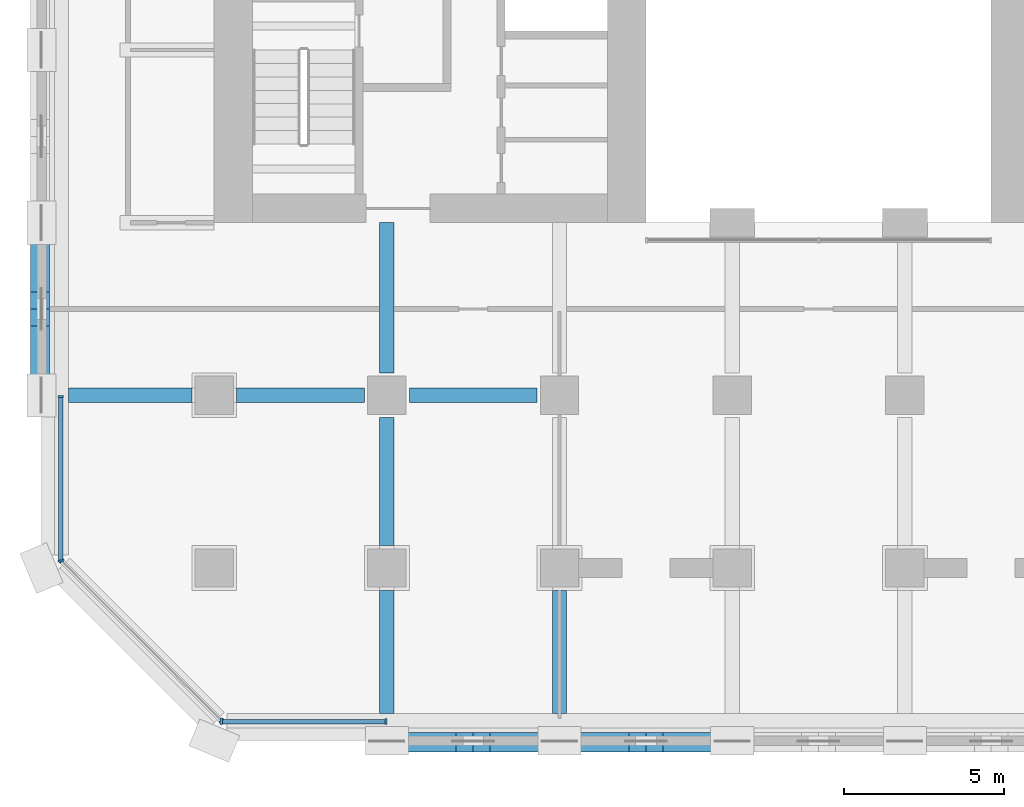
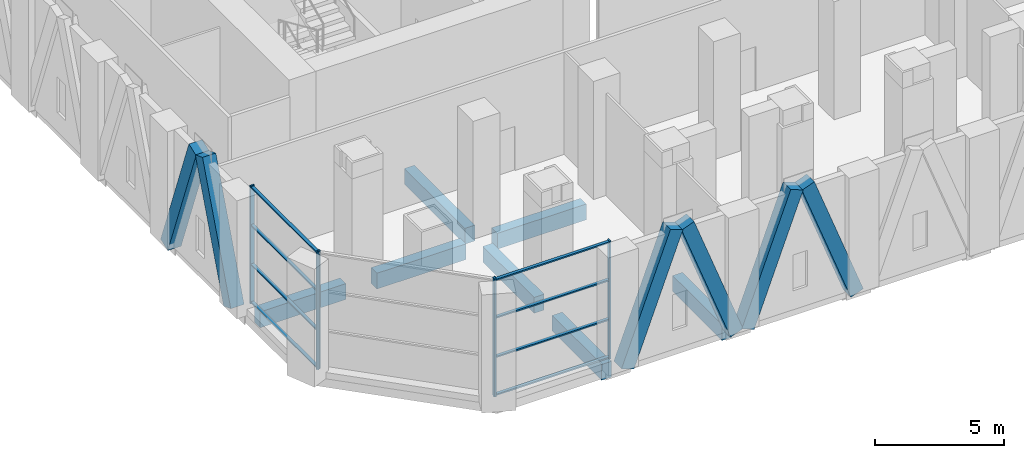
# One storey, part 2 of 34: 20 members, 7 beams, 3 elements without a shape of their own.
"""IFC4 building model written with IfcOpenShell, lengths in metres."""

from ifc_helpers import new_model, si_unit, direction, frame, origin, origin_2d, place, context, subcontext, project, spatial, rectangle, extrude, material, material_profile, profile_set, type_object, element, aggregate, save


model = new_model("IFC4")

# Units and contexts
model_context = context("Model", 3, precision=1e-05, world=origin(), true_north=direction((0.0, 1.0)))
body_context = subcontext(model_context, "Body", "Model", "MODEL_VIEW")
ifc_project = project(units=[si_unit("LENGTHUNIT", "METRE"), si_unit("AREAUNIT", "SQUARE_METRE"), si_unit("VOLUMEUNIT", "CUBIC_METRE"), si_unit("PLANEANGLEUNIT", "RADIAN"), si_unit("MASSUNIT", "GRAM", prefix="KILO")], contexts=[model_context])

# Site, building, storey
site_placement = place(None, origin())
site = spatial("IfcSite", under=ifc_project, at=site_placement, CompositionType="ELEMENT")
building_placement = place(site_placement, origin())
building = spatial("IfcBuilding", under=site, at=building_placement, Name="Tabaq Tower and Sports Hall", CompositionType="ELEMENT")
storey_placement = place(building_placement, frame((0.0, 0.0, 8.39990234375)))
storey = spatial("IfcBuildingStorey", under=building, at=storey_placement, Name="L01", CompositionType="ELEMENT", Elevation=8.39990234375)

# Curtain wall, members
ifc_material_1 = material(Name="Aluminium alloy 6063-T6 framed glazing", Category="aluminium")
curtain_wall_type = type_object("IfcCurtainWallType", Name="CW7 curtain wall", PredefinedType="USERDEFINED", material=ifc_material_1)
curtain_wall_1_placement = place(storey_placement, origin())
curtain_wall_1 = element("IfcCurtainWall", 1, at=curtain_wall_1_placement, inside=storey, type_object=curtain_wall_type, Name="Podium Wall L01 S", ObjectType="PODIUM WALL", PredefinedType="USERDEFINED")
ifc_material_2 = material(Name="Aluminium alloy 6063-T6", Category="aluminium")
ifc_material_profile_1 = material_profile(ifc_material_2, rectangle(XDim=0.179931640625, YDim=0.06494140625, at=origin_2d()), Name="MULLION 180x65")
ifc_profile_set_1 = profile_set([ifc_material_profile_1], Name="Aluminium alloy 6063-T6")
member_type_1 = type_object("IfcMemberType", Name="CW7 mullion 180x65", PredefinedType="MULLION", material=ifc_profile_set_1)
member_1_placement = place(storey_placement, frame((5.618896484375, 0.60009765625, 0.0), z_axis=(0.0, 0.0, 1.0), x_axis=(0.0, 1.0, 0.0)))
member_1 = element("IfcMember", 2, at=member_1_placement, type_object=member_type_1, Name="CW7 mullion 1", PredefinedType="MULLION", context=body_context, shape_type="SweptSolid", body=[
    extrude(rectangle(XDim=0.179931640625, YDim=0.06494140625, at=origin_2d()), origin(), (0.0, 0.0, 1.0), 5.60009765625),
])
member_2_placement = place(storey_placement, frame((10.767578125, 0.60009765625, 0.0), z_axis=(0.0, 0.0, 1.0), x_axis=(0.0, 1.0, 0.0)))
member_2 = element("IfcMember", 3, at=member_2_placement, type_object=member_type_1, Name="CW7 mullion 2", PredefinedType="MULLION", context=body_context, shape_type="SweptSolid", body=[
    extrude(rectangle(XDim=0.179931640625, YDim=0.06494140625, at=origin_2d()), origin(), (0.0, 0.0, 1.0), 5.60009765625),
])

curtain_wall_2_placement = place(storey_placement, origin())
curtain_wall_2 = element("IfcCurtainWall", 4, at=curtain_wall_2_placement, inside=storey, type_object=curtain_wall_type, Name="Podium Wall L01 W", ObjectType="PODIUM WALL", PredefinedType="USERDEFINED")
member_3_placement = place(storey_placement, frame((0.60009765625, 10.767578125, 0.0), z_axis=(0.0, 0.0, 1.0), x_axis=(1.0, 0.0, 0.0)))
member_3 = element("IfcMember", 5, at=member_3_placement, type_object=member_type_1, Name="CW7 mullion 1", PredefinedType="MULLION", context=body_context, shape_type="SweptSolid", body=[
    extrude(rectangle(XDim=0.179931640625, YDim=0.06494140625, at=origin_2d()), origin(), (0.0, 0.0, 1.0), 5.60009765625),
])
member_4_placement = place(storey_placement, frame((0.60009765625, 5.618896484375, 0.0), z_axis=(0.0, 0.0, 1.0), x_axis=(1.0, 0.0, 0.0)))
member_4 = element("IfcMember", 6, at=member_4_placement, type_object=member_type_1, Name="CW7 mullion 2", PredefinedType="MULLION", context=body_context, shape_type="SweptSolid", body=[
    extrude(rectangle(XDim=0.179931640625, YDim=0.06494140625, at=origin_2d()), origin(), (0.0, 0.0, 1.0), 5.60009765625),
])

curtain_wall_3_placement = place(storey_placement, origin())
curtain_wall_3 = element("IfcCurtainWall", 7, at=curtain_wall_3_placement, inside=storey, type_object=curtain_wall_type, Name="Podium Wall L01 SW", ObjectType="PODIUM WALL", PredefinedType="USERDEFINED")
member_5_placement = place(storey_placement, frame((0.623046875, 5.62548828125, 0.0), z_axis=(0.0, 0.0, 1.0), x_axis=(0.707106781187, 0.707106781187, 0.0)))
member_5 = element("IfcMember", 8, at=member_5_placement, type_object=member_type_1, Name="CW7 mullion 1", PredefinedType="MULLION", context=body_context, shape_type="SweptSolid", body=[
    extrude(rectangle(XDim=0.179931640625, YDim=0.06494140625, at=origin_2d()), origin(), (0.0, 0.0, 1.0), 5.60009765625),
])
member_6_placement = place(storey_placement, frame((5.62548828125, 0.623046875, 0.0), z_axis=(0.0, 0.0, 1.0), x_axis=(0.707106781187, 0.707106781187, 0.0)))
member_6 = element("IfcMember", 9, at=member_6_placement, type_object=member_type_1, Name="CW7 mullion 2", PredefinedType="MULLION", context=body_context, shape_type="SweptSolid", body=[
    extrude(rectangle(XDim=0.179931640625, YDim=0.06494140625, at=origin_2d()), origin(), (0.0, 0.0, 1.0), 5.60009765625),
])
aggregate(curtain_wall_3, [member_5, member_6])

# Member
ifc_material_3 = material(Name="Aluminium alloy 6063-T6", Category="aluminium")
ifc_material_profile_2 = material_profile(ifc_material_3, rectangle(XDim=0.139892578125, YDim=0.06494140625, at=origin_2d()), Name="TRANSOM 140x65")
ifc_profile_set_2 = profile_set([ifc_material_profile_2], Name="Aluminium alloy 6063-T6")
member_type_2 = type_object("IfcMemberType", Name="CW7 transom 140x65", PredefinedType="USERDEFINED", material=ifc_profile_set_2)
member_7_placement = place(storey_placement, frame((5.6513671875, 0.60009765625, 0.070068359375), z_axis=(1.0, 0.0, 0.0), x_axis=(0.0, 1.0, 0.0)))
member_7 = element("IfcMember", 10, at=member_7_placement, type_object=member_type_2, Name="CW7 transom 1.1", ObjectType="TRANSOM", PredefinedType="USERDEFINED", context=body_context, shape_type="SweptSolid", body=[
    extrude(rectangle(XDim=0.139892578125, YDim=0.06494140625, at=origin_2d()), origin(), (0.0, 0.0, 1.0), 5.083740234375),
])

member_8_placement = place(storey_placement, frame((5.6513671875, 0.60009765625, 1.86669921875), z_axis=(1.0, 0.0, 0.0), x_axis=(0.0, 1.0, 0.0)))
member_8 = element("IfcMember", 11, at=member_8_placement, type_object=member_type_2, Name="CW7 transom 1.2", ObjectType="TRANSOM", PredefinedType="USERDEFINED", context=body_context, shape_type="SweptSolid", body=[
    extrude(rectangle(XDim=0.139892578125, YDim=0.06494140625, at=origin_2d()), origin(), (0.0, 0.0, 1.0), 5.083740234375),
])

member_9_placement = place(storey_placement, frame((5.6513671875, 0.60009765625, 3.7333984375), z_axis=(1.0, 0.0, 0.0), x_axis=(0.0, 1.0, 0.0)))
member_9 = element("IfcMember", 12, at=member_9_placement, type_object=member_type_2, Name="CW7 transom 1.3", ObjectType="TRANSOM", PredefinedType="USERDEFINED", context=body_context, shape_type="SweptSolid", body=[
    extrude(rectangle(XDim=0.139892578125, YDim=0.06494140625, at=origin_2d()), origin(), (0.0, 0.0, 1.0), 5.083740234375),
])

member_10_placement = place(storey_placement, frame((5.6513671875, 0.60009765625, 5.530029296875), z_axis=(1.0, 0.0, 0.0), x_axis=(0.0, 1.0, 0.0)))
member_10 = element("IfcMember", 13, at=member_10_placement, type_object=member_type_2, Name="CW7 transom 1.4", ObjectType="TRANSOM", PredefinedType="USERDEFINED", context=body_context, shape_type="SweptSolid", body=[
    extrude(rectangle(XDim=0.139892578125, YDim=0.06494140625, at=origin_2d()), origin(), (0.0, 0.0, 1.0), 5.083740234375),
])

aggregate(curtain_wall_1, [member_1, member_2, member_7, member_8, member_9, member_10])

member_11_placement = place(storey_placement, frame((0.60009765625, 10.735107421875, 0.070068359375), z_axis=(0.0, -1.0, 0.0), x_axis=(1.0, 0.0, 0.0)))
member_11 = element("IfcMember", 14, at=member_11_placement, type_object=member_type_2, Name="CW7 transom 1.1", ObjectType="TRANSOM", PredefinedType="USERDEFINED", context=body_context, shape_type="SweptSolid", body=[
    extrude(rectangle(XDim=0.139892578125, YDim=0.06494140625, at=origin_2d()), origin(), (0.0, 0.0, 1.0), 5.083740234375),
])

member_12_placement = place(storey_placement, frame((0.60009765625, 10.735107421875, 1.86669921875), z_axis=(0.0, -1.0, 0.0), x_axis=(1.0, 0.0, 0.0)))
member_12 = element("IfcMember", 15, at=member_12_placement, type_object=member_type_2, Name="CW7 transom 1.2", ObjectType="TRANSOM", PredefinedType="USERDEFINED", context=body_context, shape_type="SweptSolid", body=[
    extrude(rectangle(XDim=0.139892578125, YDim=0.06494140625, at=origin_2d()), origin(), (0.0, 0.0, 1.0), 5.083740234375),
])

member_13_placement = place(storey_placement, frame((0.60009765625, 10.735107421875, 3.7333984375), z_axis=(0.0, -1.0, 0.0), x_axis=(1.0, 0.0, 0.0)))
member_13 = element("IfcMember", 16, at=member_13_placement, type_object=member_type_2, Name="CW7 transom 1.3", ObjectType="TRANSOM", PredefinedType="USERDEFINED", context=body_context, shape_type="SweptSolid", body=[
    extrude(rectangle(XDim=0.139892578125, YDim=0.06494140625, at=origin_2d()), origin(), (0.0, 0.0, 1.0), 5.083740234375),
])

member_14_placement = place(storey_placement, frame((0.60009765625, 10.735107421875, 5.530029296875), z_axis=(0.0, -1.0, 0.0), x_axis=(1.0, 0.0, 0.0)))
member_14 = element("IfcMember", 17, at=member_14_placement, type_object=member_type_2, Name="CW7 transom 1.4", ObjectType="TRANSOM", PredefinedType="USERDEFINED", context=body_context, shape_type="SweptSolid", body=[
    extrude(rectangle(XDim=0.139892578125, YDim=0.06494140625, at=origin_2d()), origin(), (0.0, 0.0, 1.0), 5.083740234375),
])

aggregate(curtain_wall_2, [member_3, member_4, member_11, member_12, member_13, member_14])

# Beams
ifc_material_4 = material(Name="Concrete C40/50", Category="concrete")
ifc_material_profile_3 = material_profile(ifc_material_4, rectangle(XDim=0.449951171875, YDim=0.75, at=origin_2d()), Name="CB 450x750")
ifc_profile_set_3 = profile_set([ifc_material_profile_3], Name="Concrete C40/50")
beam_type = type_object("IfcBeamType", Name="PT CANTILEVER BEAM CB 450x750 C40/50", PredefinedType="BEAM", material=ifc_profile_set_3)
beam_1_placement = place(storey_placement, frame((0.85009765625, 10.800048828125, -0.77490234375), z_axis=(1.0, 0.0, 0.0), x_axis=(0.0, 1.0, 0.0)))
element("IfcBeam", 18, at=beam_1_placement, inside=storey, type_object=beam_type, Name="Cantilever Beam L01 W2 span 1", PredefinedType="BEAM", context=body_context, shape_type="SweptSolid", body=[
    extrude(rectangle(XDim=0.449951171875, YDim=0.75, at=origin_2d()), origin(), (0.0, 0.0, 1.0), 3.849853515625),
])
for number, where, z_axis, x_axis, name in (
    (19, (6.10009765625, 10.800048828125, -0.77490234375), (1.0, 0.0, 0.0), (0.0, 1.0, 0.0), "Cantilever Beam L01 W2 span 2"),
    (20, (11.5, 10.800048828125, -0.77490234375), (1.0, 0.0, 0.0), (0.0, 1.0, 0.0), "Cantilever Beam L01 W2 span 3"),
):
    element("IfcBeam", number, at=place(storey_placement, frame(where, z_axis=z_axis, x_axis=x_axis)), inside=storey, type_object=beam_type, Name=name, PredefinedType="BEAM", context=body_context, shape_type="SweptSolid", body=[
        extrude(rectangle(XDim=0.449951171875, YDim=0.75, at=origin_2d()), origin(), (0.0, 0.0, 1.0), 4.0),
    ])
beam_2_placement = place(storey_placement, frame((10.800048828125, 0.85009765625, -0.77490234375), z_axis=(0.0, 1.0, 0.0), x_axis=(-1.0, 0.0, 0.0)))
element("IfcBeam", 21, at=beam_2_placement, inside=storey, type_object=beam_type, Name="Cantilever Beam L01 S2 span 1", PredefinedType="BEAM", context=body_context, shape_type="SweptSolid", body=[
    extrude(rectangle(XDim=0.449951171875, YDim=0.75, at=origin_2d()), origin(), (0.0, 0.0, 1.0), 3.849853515625),
])
beam_3_placement = place(storey_placement, frame((10.800048828125, 6.10009765625, -0.77490234375), z_axis=(0.0, 1.0, 0.0), x_axis=(-1.0, 0.0, 0.0)))
element("IfcBeam", 22, at=beam_3_placement, inside=storey, type_object=beam_type, Name="Cantilever Beam L01 S2 span 2", PredefinedType="BEAM", context=body_context, shape_type="SweptSolid", body=[
    extrude(rectangle(XDim=0.449951171875, YDim=0.75, at=origin_2d()), origin(), (0.0, 0.0, 1.0), 4.0),
])
beam_4_placement = place(storey_placement, frame((10.800048828125, 11.5, -0.77490234375), z_axis=(0.0, 1.0, 0.0), x_axis=(-1.0, 0.0, 0.0)))
element("IfcBeam", 23, at=beam_4_placement, inside=storey, type_object=beam_type, Name="Cantilever Beam L01 S2 span 3", PredefinedType="BEAM", context=body_context, shape_type="SweptSolid", body=[
    extrude(rectangle(XDim=0.449951171875, YDim=0.75, at=origin_2d()), origin(), (0.0, 0.0, 1.0), 4.699951171875),
])
beam_5_placement = place(storey_placement, frame((16.199951171875, 0.85009765625, -0.77490234375), z_axis=(0.0, 1.0, 0.0), x_axis=(-1.0, 0.0, 0.0)))
element("IfcBeam", 24, at=beam_5_placement, inside=storey, type_object=beam_type, Name="Cantilever Beam L01 S3 span 1", PredefinedType="BEAM", context=body_context, shape_type="SweptSolid", body=[
    extrude(rectangle(XDim=0.449951171875, YDim=0.75, at=origin_2d()), origin(), (0.0, 0.0, 1.0), 3.849853515625),
])

# Members
ifc_material_5 = material(Name="Concrete C60/75", Category="concrete")
ifc_material_profile_4 = material_profile(ifc_material_5, rectangle(XDim=0.60009765625, YDim=0.60009765625, at=origin_2d()), Name="TRANSFER BAND BRACE 600x600")
ifc_profile_set_4 = profile_set([ifc_material_profile_4], Name="Concrete C60/75")
member_type_3 = type_object("IfcMemberType", Name="RC TRANSFER BAND BRACE 600x600 C60/75", PredefinedType="BRACE", material=ifc_profile_set_4)
for number, where, z_axis, x_axis, name in (
    (25, (11.050048828125, -0.050048828125, -0.0498046875), (0.352000877522, 0.0, 0.935999669991), (0.0, 1.0, 0.0), "Transfer Band Brace L01 South 1"),
    (26, (15.949951171875, -0.050048828125, -0.0498046875), (-0.352000877522, 0.0, 0.935999669991), (0.0, -1.0, 0.0), "Transfer Band Brace L01 South 2"),
    (27, (16.449951171875, -0.050048828125, -0.0498046875), (0.352000877522, 0.0, 0.935999669991), (0.0, 1.0, 0.0), "Transfer Band Brace L01 South 3"),
):
    element("IfcMember", number, at=place(storey_placement, frame(where, z_axis=z_axis, x_axis=x_axis)), inside=storey, type_object=member_type_3, Name=name, PredefinedType="BRACE", context=body_context, shape_type="SweptSolid", body=[
        extrude(rectangle(XDim=0.60009765625, YDim=0.60009765625, at=origin_2d()), origin(), (0.0, 0.0, 1.0), 6.249755859375),
    ])
member_15_placement = place(storey_placement, frame((21.35009765625, -0.050048828125, -0.0498046875), z_axis=(-0.352035100136, 0.0, 0.935986799197), x_axis=(0.0, -1.0, 0.0)))
element("IfcMember", 28, at=member_15_placement, inside=storey, type_object=member_type_3, Name="Transfer Band Brace L01 South 4", PredefinedType="BRACE", context=body_context, shape_type="SweptSolid", body=[
    extrude(rectangle(XDim=0.60009765625, YDim=0.60009765625, at=origin_2d()), origin(), (0.0, 0.0, 1.0), 6.25),
])
for number, where, z_axis, x_axis, name in (
    (29, (-0.050048828125, 11.050048828125, -0.0498046875), (0.0, 0.352000877522, 0.935999669991), (-1.0, 0.0, 0.0), "Transfer Band Brace L01 West 9"),
    (30, (-0.050048828125, 15.949951171875, -0.0498046875), (0.0, -0.352000877522, 0.935999669991), (1.0, 0.0, 0.0), "Transfer Band Brace L01 West 10"),
):
    element("IfcMember", number, at=place(storey_placement, frame(where, z_axis=z_axis, x_axis=x_axis)), inside=storey, type_object=member_type_3, Name=name, PredefinedType="BRACE", context=body_context, shape_type="SweptSolid", body=[
        extrude(rectangle(XDim=0.60009765625, YDim=0.60009765625, at=origin_2d()), origin(), (0.0, 0.0, 1.0), 6.249755859375),
    ])

save(model, "model.ifc")
